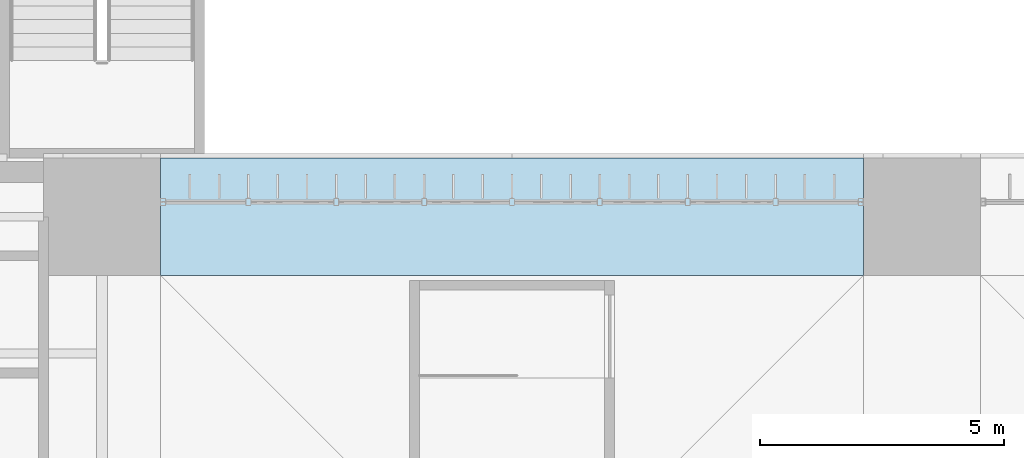
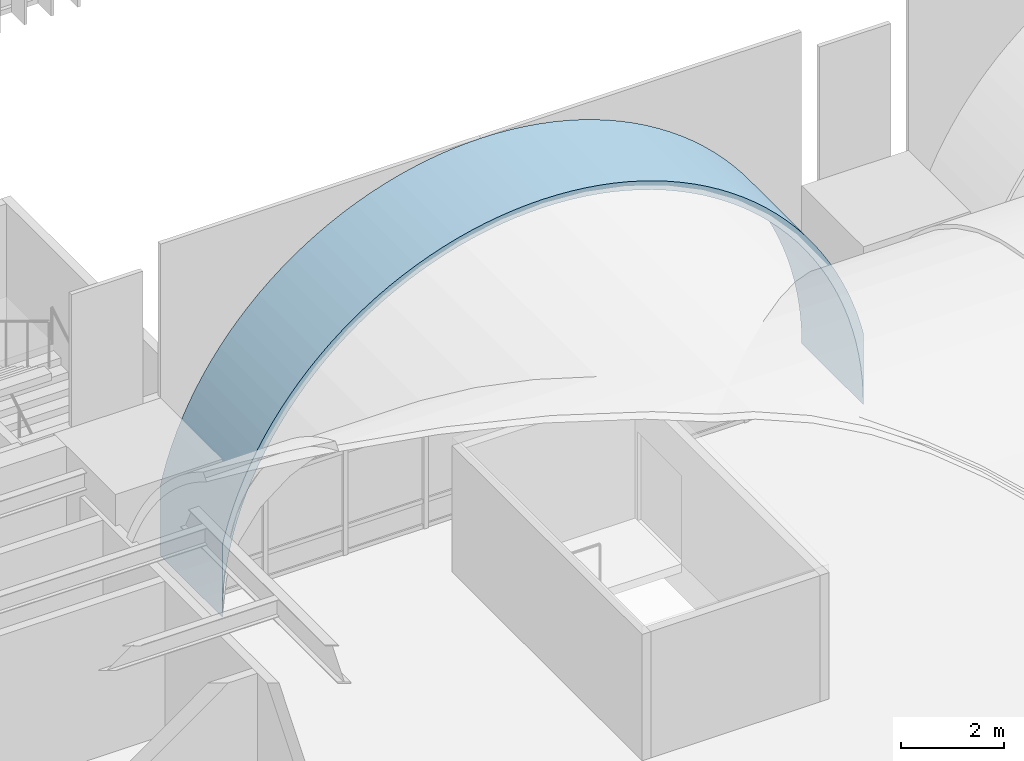
# One storey, part 119 of 169: 1 roof.
"""IFC4 building model written with IfcOpenShell, lengths in metres."""

from ifc_helpers import new_model, si_unit, direction, frame, origin, place, context, subcontext, project, spatial, polygons, material, layer, layer_set, type_object, element, save


model = new_model("IFC4")

# Units and contexts
model_context = context("Model", 3, precision=1e-05, world=origin(), true_north=direction((0.0, 1.0)))
body_context = subcontext(model_context, "Body", "Model", "MODEL_VIEW")
ifc_project = project(units=[si_unit("LENGTHUNIT", "METRE"), si_unit("AREAUNIT", "SQUARE_METRE"), si_unit("VOLUMEUNIT", "CUBIC_METRE"), si_unit("PLANEANGLEUNIT", "RADIAN"), si_unit("MASSUNIT", "GRAM", prefix="KILO")], contexts=[model_context])

# Site, building, storey
site_placement = place(None, origin())
site = spatial("IfcSite", under=ifc_project, at=site_placement, CompositionType="ELEMENT")
building_placement = place(site_placement, origin())
building = spatial("IfcBuilding", under=site, at=building_placement, Name="Verrick Yard Athletic Hall", CompositionType="ELEMENT")
storey_placement = place(building_placement, frame((0.0, 0.0, 4.39990234375)))
storey = spatial("IfcBuildingStorey", under=building, at=storey_placement, Name="L01", CompositionType="ELEMENT", Elevation=4.39990234375)

# Roof
ifc_material = material(Name="Concrete 35 MPa", Category="concrete")
ifc_layer = layer(ifc_material, 0.199951171875)
ifc_layer_set = layer_set([ifc_layer], Name="Arch rib 200")
roof_type = type_object("IfcRoofType", Name="Arch rib 200", PredefinedType="BARREL_ROOF", material=ifc_layer_set)
roof_placement = place(storey_placement, origin())
element("IfcRoof", 1, at=roof_placement, inside=storey, type_object=roof_type, Name="Vault rib N1", PredefinedType="BARREL_ROOF", context=body_context, shape_type="Tessellation", body=[
    polygons([(41.199951171875, 51.60009765625, 2.352294921875), (41.199951171875, 51.60009765625, 0.650146484375), (41.206787109375, 51.60009765625, 0.964111328125), (41.227294921875, 51.60009765625, 1.277587890625), (41.26171875, 51.60009765625, 1.58984375), (41.309326171875, 51.60009765625, 1.900390625), (41.37060546875, 51.60009765625, 2.20849609375), (41.4453125, 51.60009765625, 2.513671875), (41.533203125, 51.60009765625, 2.815185546875), (41.63427734375, 51.60009765625, 3.112548828125), (41.748046875, 51.60009765625, 3.405517578125), (41.87451171875, 51.60009765625, 3.693115234375), (42.013427734375, 51.60009765625, 3.974609375), (42.16455078125, 51.60009765625, 4.25), (42.32763671875, 51.60009765625, 4.518798828125), (42.502197265625, 51.60009765625, 4.77978515625), (42.68798828125, 51.60009765625, 5.033203125), (42.884521484375, 51.60009765625, 5.278076171875), (43.091552734375, 51.60009765625, 5.514404296875), (43.308837890625, 51.60009765625, 5.7412109375), (43.535888671875, 51.60009765625, 5.95849609375), (43.77197265625, 51.60009765625, 6.16552734375), (44.016845703125, 51.60009765625, 6.3623046875), (44.270263671875, 51.60009765625, 6.548095703125), (44.531494140625, 51.60009765625, 6.722412109375), (44.800048828125, 51.60009765625, 6.885498046875), (45.075439453125, 51.60009765625, 7.03662109375), (45.357177734375, 51.60009765625, 7.175537109375), (45.644775390625, 51.60009765625, 7.302001953125), (45.9375, 51.60009765625, 7.416015625), (46.23486328125, 51.60009765625, 7.516845703125), (46.53662109375, 51.60009765625, 7.604736328125), (46.841552734375, 51.60009765625, 7.679443359375), (47.149658203125, 51.60009765625, 7.74072265625), (47.460205078125, 51.60009765625, 7.78857421875), (47.7724609375, 51.60009765625, 7.82275390625), (48.0859375, 51.60009765625, 7.84326171875), (48.39990234375, 51.60009765625, 7.85009765625), (48.714111328125, 51.60009765625, 7.84326171875), (49.027587890625, 51.60009765625, 7.82275390625), (49.33984375, 51.60009765625, 7.78857421875), (49.650390625, 51.60009765625, 7.74072265625), (49.95849609375, 51.60009765625, 7.679443359375), (50.263427734375, 51.60009765625, 7.604736328125), (50.565185546875, 51.60009765625, 7.516845703125), (50.862548828125, 51.60009765625, 7.416015625), (51.1552734375, 51.60009765625, 7.302001953125), (51.44287109375, 51.60009765625, 7.175537109375), (51.724609375, 51.60009765625, 7.03662109375), (52.0, 51.60009765625, 6.885498046875), (52.2685546875, 51.60009765625, 6.722412109375), (52.52978515625, 51.60009765625, 6.548095703125), (52.783203125, 51.60009765625, 6.3623046875), (53.028076171875, 51.60009765625, 6.16552734375), (53.26416015625, 51.60009765625, 5.95849609375), (53.4912109375, 51.60009765625, 5.7412109375), (53.70849609375, 51.60009765625, 5.514404296875), (53.91552734375, 51.60009765625, 5.278076171875), (54.112060546875, 51.60009765625, 5.033203125), (54.2978515625, 51.60009765625, 4.77978515625), (54.472412109375, 51.60009765625, 4.518798828125), (54.635498046875, 51.60009765625, 4.25), (54.78662109375, 51.60009765625, 3.974609375), (54.92529296875, 51.60009765625, 3.693115234375), (55.052001953125, 51.60009765625, 3.405517578125), (55.165771484375, 51.60009765625, 3.112548828125), (55.266845703125, 51.60009765625, 2.815185546875), (55.354736328125, 51.60009765625, 2.513671875), (55.42919921875, 51.60009765625, 2.20849609375), (55.490478515625, 51.60009765625, 1.900390625), (55.538330078125, 51.60009765625, 1.58984375), (55.572509765625, 51.60009765625, 1.277587890625), (55.593017578125, 51.60009765625, 0.964111328125), (55.60009765625, 51.60009765625, 0.650146484375), (55.60009765625, 51.60009765625, 2.352294921875), (55.5478515625, 51.60009765625, 2.5654296875), (55.45751953125, 51.60009765625, 2.875244140625), (55.353759765625, 51.60009765625, 3.180908203125), (55.23681640625, 51.60009765625, 3.48193359375), (55.106689453125, 51.60009765625, 3.777587890625), (54.9638671875, 51.60009765625, 4.06689453125), (54.80859375, 51.60009765625, 4.35009765625), (54.64111328125, 51.60009765625, 4.6259765625), (54.461669921875, 51.60009765625, 4.89453125), (54.270751953125, 51.60009765625, 5.15478515625), (54.068603515625, 51.60009765625, 5.40673828125), (53.85595703125, 51.60009765625, 5.6494140625), (53.632568359375, 51.60009765625, 5.8828125), (53.3994140625, 51.60009765625, 6.10595703125), (53.156494140625, 51.60009765625, 6.31884765625), (52.90478515625, 51.60009765625, 6.52099609375), (52.64453125, 51.60009765625, 6.7119140625), (52.3759765625, 51.60009765625, 6.89111328125), (52.10009765625, 51.60009765625, 7.05859375), (51.81689453125, 51.60009765625, 7.214111328125), (51.52734375, 51.60009765625, 7.356689453125), (51.23193359375, 51.60009765625, 7.48681640625), (50.930908203125, 51.60009765625, 7.603759765625), (50.625244140625, 51.60009765625, 7.70751953125), (50.315185546875, 51.60009765625, 7.798095703125), (50.001708984375, 51.60009765625, 7.874755859375), (49.68505859375, 51.60009765625, 7.937744140625), (49.365966796875, 51.60009765625, 7.98681640625), (49.044921875, 51.60009765625, 8.02197265625), (48.722900390625, 51.60009765625, 8.043212890625), (48.39990234375, 51.60009765625, 8.050048828125), (48.0771484375, 51.60009765625, 8.043212890625), (47.7548828125, 51.60009765625, 8.02197265625), (47.43408203125, 51.60009765625, 7.98681640625), (47.114990234375, 51.60009765625, 7.937744140625), (46.79833984375, 51.60009765625, 7.874755859375), (46.484619140625, 51.60009765625, 7.798095703125), (46.1748046875, 51.60009765625, 7.70751953125), (45.869140625, 51.60009765625, 7.603759765625), (45.568115234375, 51.60009765625, 7.48681640625), (45.272705078125, 51.60009765625, 7.356689453125), (44.983154296875, 51.60009765625, 7.214111328125), (44.699951171875, 51.60009765625, 7.05859375), (44.424072265625, 51.60009765625, 6.89111328125), (44.155517578125, 51.60009765625, 6.7119140625), (43.895263671875, 51.60009765625, 6.52099609375), (43.643310546875, 51.60009765625, 6.31884765625), (43.400634765625, 51.60009765625, 6.10595703125), (43.16748046875, 51.60009765625, 5.8828125), (42.944091796875, 51.60009765625, 5.6494140625), (42.731201171875, 51.60009765625, 5.40673828125), (42.529296875, 51.60009765625, 5.15478515625), (42.33837890625, 51.60009765625, 4.89453125), (42.158935546875, 51.60009765625, 4.6259765625), (41.991455078125, 51.60009765625, 4.35009765625), (41.836181640625, 51.60009765625, 4.06689453125), (41.693359375, 51.60009765625, 3.777587890625), (41.563232421875, 51.60009765625, 3.48193359375), (41.4462890625, 51.60009765625, 3.180908203125), (41.342529296875, 51.60009765625, 2.875244140625), (41.252197265625, 51.60009765625, 2.5654296875), (41.199951171875, 54.0, 2.352294921875), (41.199951171875, 54.0, 0.650146484375), (41.206787109375, 54.0, 0.964111328125), (41.227294921875, 54.0, 1.277587890625), (41.26171875, 54.0, 1.58984375), (41.309326171875, 54.0, 1.900390625), (41.37060546875, 54.0, 2.20849609375), (41.4453125, 54.0, 2.513671875), (41.533203125, 54.0, 2.815185546875), (41.63427734375, 54.0, 3.112548828125), (41.748046875, 54.0, 3.405517578125), (41.87451171875, 54.0, 3.693115234375), (42.013427734375, 54.0, 3.974609375), (42.16455078125, 54.0, 4.25), (42.32763671875, 54.0, 4.518798828125), (42.502197265625, 54.0, 4.77978515625), (42.68798828125, 54.0, 5.033203125), (42.884521484375, 54.0, 5.278076171875), (43.091552734375, 54.0, 5.514404296875), (43.308837890625, 54.0, 5.7412109375), (43.535888671875, 54.0, 5.95849609375), (43.77197265625, 54.0, 6.16552734375), (44.016845703125, 54.0, 6.3623046875), (44.270263671875, 54.0, 6.548095703125), (44.531494140625, 54.0, 6.722412109375), (44.800048828125, 54.0, 6.885498046875), (45.075439453125, 54.0, 7.03662109375), (45.357177734375, 54.0, 7.175537109375), (45.644775390625, 54.0, 7.302001953125), (45.9375, 54.0, 7.416015625), (46.23486328125, 54.0, 7.516845703125), (46.53662109375, 54.0, 7.604736328125), (46.841552734375, 54.0, 7.679443359375), (47.149658203125, 54.0, 7.74072265625), (47.460205078125, 54.0, 7.78857421875), (47.7724609375, 54.0, 7.82275390625), (48.0859375, 54.0, 7.84326171875), (48.39990234375, 54.0, 7.85009765625), (48.714111328125, 54.0, 7.84326171875), (49.027587890625, 54.0, 7.82275390625), (49.33984375, 54.0, 7.78857421875), (49.650390625, 54.0, 7.74072265625), (49.95849609375, 54.0, 7.679443359375), (50.263427734375, 54.0, 7.604736328125), (50.565185546875, 54.0, 7.516845703125), (50.862548828125, 54.0, 7.416015625), (51.1552734375, 54.0, 7.302001953125), (51.44287109375, 54.0, 7.175537109375), (51.724609375, 54.0, 7.03662109375), (52.0, 54.0, 6.885498046875), (52.2685546875, 54.0, 6.722412109375), (52.52978515625, 54.0, 6.548095703125), (52.783203125, 54.0, 6.3623046875), (53.028076171875, 54.0, 6.16552734375), (53.26416015625, 54.0, 5.95849609375), (53.4912109375, 54.0, 5.7412109375), (53.70849609375, 54.0, 5.514404296875), (53.91552734375, 54.0, 5.278076171875), (54.112060546875, 54.0, 5.033203125), (54.2978515625, 54.0, 4.77978515625), (54.472412109375, 54.0, 4.518798828125), (54.635498046875, 54.0, 4.25), (54.78662109375, 54.0, 3.974609375), (54.92529296875, 54.0, 3.693115234375), (55.052001953125, 54.0, 3.405517578125), (55.165771484375, 54.0, 3.112548828125), (55.266845703125, 54.0, 2.815185546875), (55.354736328125, 54.0, 2.513671875), (55.42919921875, 54.0, 2.20849609375), (55.490478515625, 54.0, 1.900390625), (55.538330078125, 54.0, 1.58984375), (55.572509765625, 54.0, 1.277587890625), (55.593017578125, 54.0, 0.964111328125), (55.60009765625, 54.0, 0.650146484375), (55.60009765625, 54.0, 2.352294921875), (55.5478515625, 54.0, 2.5654296875), (55.45751953125, 54.0, 2.875244140625), (55.353759765625, 54.0, 3.180908203125), (55.23681640625, 54.0, 3.48193359375), (55.106689453125, 54.0, 3.777587890625), (54.9638671875, 54.0, 4.06689453125), (54.80859375, 54.0, 4.35009765625), (54.64111328125, 54.0, 4.6259765625), (54.461669921875, 54.0, 4.89453125), (54.270751953125, 54.0, 5.15478515625), (54.068603515625, 54.0, 5.40673828125), (53.85595703125, 54.0, 5.6494140625), (53.632568359375, 54.0, 5.8828125), (53.3994140625, 54.0, 6.10595703125), (53.156494140625, 54.0, 6.31884765625), (52.90478515625, 54.0, 6.52099609375), (52.64453125, 54.0, 6.7119140625), (52.3759765625, 54.0, 6.89111328125), (52.10009765625, 54.0, 7.05859375), (51.81689453125, 54.0, 7.214111328125), (51.52734375, 54.0, 7.356689453125), (51.23193359375, 54.0, 7.48681640625), (50.930908203125, 54.0, 7.603759765625), (50.625244140625, 54.0, 7.70751953125), (50.315185546875, 54.0, 7.798095703125), (50.001708984375, 54.0, 7.874755859375), (49.68505859375, 54.0, 7.937744140625), (49.365966796875, 54.0, 7.98681640625), (49.044921875, 54.0, 8.02197265625), (48.722900390625, 54.0, 8.043212890625), (48.39990234375, 54.0, 8.050048828125), (48.0771484375, 54.0, 8.043212890625), (47.7548828125, 54.0, 8.02197265625), (47.43408203125, 54.0, 7.98681640625), (47.114990234375, 54.0, 7.937744140625), (46.79833984375, 54.0, 7.874755859375), (46.484619140625, 54.0, 7.798095703125), (46.1748046875, 54.0, 7.70751953125), (45.869140625, 54.0, 7.603759765625), (45.568115234375, 54.0, 7.48681640625), (45.272705078125, 54.0, 7.356689453125), (44.983154296875, 54.0, 7.214111328125), (44.699951171875, 54.0, 7.05859375), (44.424072265625, 54.0, 6.89111328125), (44.155517578125, 54.0, 6.7119140625), (43.895263671875, 54.0, 6.52099609375), (43.643310546875, 54.0, 6.31884765625), (43.400634765625, 54.0, 6.10595703125), (43.16748046875, 54.0, 5.8828125), (42.944091796875, 54.0, 5.6494140625), (42.731201171875, 54.0, 5.40673828125), (42.529296875, 54.0, 5.15478515625), (42.33837890625, 54.0, 4.89453125), (42.158935546875, 54.0, 4.6259765625), (41.991455078125, 54.0, 4.35009765625), (41.836181640625, 54.0, 4.06689453125), (41.693359375, 54.0, 3.777587890625), (41.563232421875, 54.0, 3.48193359375), (41.4462890625, 54.0, 3.180908203125), (41.342529296875, 54.0, 2.875244140625), (41.252197265625, 54.0, 2.5654296875)], [[[1, 2, 3]], [[137, 139, 138]], [[136, 1, 3]], [[272, 139, 137]], [[136, 3, 4]], [[272, 140, 139]], [[136, 4, 5]], [[272, 141, 140]], [[136, 5, 6]], [[272, 142, 141]], [[136, 6, 7]], [[272, 143, 142]], [[136, 7, 8]], [[272, 144, 143]], [[136, 8, 9]], [[272, 145, 144]], [[136, 9, 10]], [[272, 146, 145]], [[136, 10, 11]], [[272, 147, 146]], [[136, 11, 12]], [[272, 148, 147]], [[136, 12, 13]], [[272, 149, 148]], [[73, 74, 75]], [[209, 211, 210]], [[72, 73, 75]], [[208, 211, 209]], [[71, 72, 75]], [[207, 211, 208]], [[70, 71, 75]], [[206, 211, 207]], [[69, 70, 75]], [[205, 211, 206]], [[68, 69, 75]], [[204, 211, 205]], [[67, 68, 75]], [[203, 211, 204]], [[66, 67, 75]], [[202, 211, 203]], [[65, 66, 75]], [[201, 211, 202]], [[64, 65, 75]], [[200, 211, 201]], [[63, 64, 75]], [[199, 211, 200]], [[63, 75, 76]], [[199, 212, 211]], [[63, 76, 77]], [[199, 213, 212]], [[62, 63, 77]], [[198, 213, 199]], [[62, 77, 78]], [[198, 214, 213]], [[61, 62, 78]], [[197, 214, 198]], [[61, 78, 79]], [[197, 215, 214]], [[60, 61, 79]], [[196, 215, 197]], [[60, 79, 80]], [[196, 216, 215]], [[59, 60, 80]], [[195, 216, 196]], [[59, 80, 81]], [[195, 217, 216]], [[58, 59, 81]], [[194, 217, 195]], [[58, 81, 82]], [[194, 218, 217]], [[57, 58, 82]], [[193, 218, 194]], [[57, 82, 83]], [[193, 219, 218]], [[56, 57, 83]], [[192, 219, 193]], [[56, 83, 84]], [[192, 220, 219]], [[55, 56, 84]], [[191, 220, 192]], [[55, 84, 85]], [[191, 221, 220]], [[54, 55, 85]], [[190, 221, 191]], [[54, 85, 86]], [[190, 222, 221]], [[53, 54, 86]], [[189, 222, 190]], [[53, 86, 87]], [[189, 223, 222]], [[52, 53, 87]], [[188, 223, 189]], [[52, 87, 88]], [[188, 224, 223]], [[51, 52, 88]], [[187, 224, 188]], [[51, 88, 89]], [[187, 225, 224]], [[50, 51, 89]], [[186, 225, 187]], [[50, 89, 90]], [[186, 226, 225]], [[49, 50, 90]], [[185, 226, 186]], [[49, 90, 91]], [[185, 227, 226]], [[48, 49, 91]], [[184, 227, 185]], [[48, 91, 92]], [[184, 228, 227]], [[47, 48, 92]], [[183, 228, 184]], [[47, 92, 93]], [[183, 229, 228]], [[46, 47, 93]], [[182, 229, 183]], [[46, 93, 94]], [[182, 230, 229]], [[45, 46, 94]], [[181, 230, 182]], [[45, 94, 95]], [[181, 231, 230]], [[44, 45, 95]], [[180, 231, 181]], [[44, 95, 96]], [[180, 232, 231]], [[43, 44, 96]], [[179, 232, 180]], [[43, 96, 97]], [[179, 233, 232]], [[42, 43, 97]], [[178, 233, 179]], [[42, 97, 98]], [[178, 234, 233]], [[41, 42, 98]], [[177, 234, 178]], [[41, 98, 99]], [[177, 235, 234]], [[40, 41, 99]], [[176, 235, 177]], [[40, 99, 100]], [[176, 236, 235]], [[39, 40, 100]], [[175, 236, 176]], [[39, 100, 101]], [[175, 237, 236]], [[38, 39, 101]], [[174, 237, 175]], [[38, 101, 102]], [[174, 238, 237]], [[37, 38, 102]], [[173, 238, 174]], [[37, 102, 103]], [[173, 239, 238]], [[36, 37, 103]], [[172, 239, 173]], [[36, 103, 104]], [[172, 240, 239]], [[35, 36, 104]], [[171, 240, 172]], [[35, 104, 105]], [[171, 241, 240]], [[34, 35, 105]], [[170, 241, 171]], [[34, 105, 106]], [[170, 242, 241]], [[33, 34, 106]], [[169, 242, 170]], [[33, 106, 107]], [[169, 243, 242]], [[32, 33, 107]], [[168, 243, 169]], [[32, 107, 108]], [[168, 244, 243]], [[31, 32, 108]], [[167, 244, 168]], [[31, 108, 109]], [[167, 245, 244]], [[30, 31, 109]], [[166, 245, 167]], [[30, 109, 110]], [[166, 246, 245]], [[29, 30, 110]], [[165, 246, 166]], [[29, 110, 111]], [[165, 247, 246]], [[28, 29, 111]], [[164, 247, 165]], [[28, 111, 112]], [[164, 248, 247]], [[27, 28, 112]], [[163, 248, 164]], [[27, 112, 113]], [[163, 249, 248]], [[26, 27, 113]], [[162, 249, 163]], [[26, 113, 114]], [[162, 250, 249]], [[25, 26, 114]], [[161, 250, 162]], [[25, 114, 115]], [[161, 251, 250]], [[24, 25, 115]], [[160, 251, 161]], [[24, 115, 116]], [[160, 252, 251]], [[23, 24, 116]], [[159, 252, 160]], [[23, 116, 117]], [[159, 253, 252]], [[22, 23, 117]], [[158, 253, 159]], [[22, 117, 118]], [[158, 254, 253]], [[21, 22, 118]], [[157, 254, 158]], [[21, 118, 119]], [[157, 255, 254]], [[20, 21, 119]], [[156, 255, 157]], [[20, 119, 120]], [[156, 256, 255]], [[19, 20, 120]], [[155, 256, 156]], [[19, 120, 121]], [[155, 257, 256]], [[18, 19, 121]], [[154, 257, 155]], [[18, 121, 122]], [[154, 258, 257]], [[17, 18, 122]], [[153, 258, 154]], [[17, 122, 123]], [[153, 259, 258]], [[16, 17, 123]], [[152, 259, 153]], [[16, 123, 124]], [[152, 260, 259]], [[15, 16, 124]], [[151, 260, 152]], [[15, 124, 125]], [[151, 261, 260]], [[14, 15, 125]], [[150, 261, 151]], [[14, 125, 126]], [[150, 262, 261]], [[13, 14, 126]], [[149, 262, 150]], [[136, 13, 126]], [[272, 262, 149]], [[136, 126, 127]], [[272, 263, 262]], [[136, 127, 128]], [[272, 264, 263]], [[136, 128, 129]], [[272, 265, 264]], [[136, 129, 130]], [[272, 266, 265]], [[136, 130, 131]], [[272, 267, 266]], [[136, 131, 132]], [[272, 268, 267]], [[136, 132, 133]], [[272, 269, 268]], [[136, 133, 134]], [[272, 270, 269]], [[134, 135, 136]], [[270, 272, 271]], [[1, 138, 2]], [[1, 137, 138]], [[2, 139, 3]], [[2, 138, 139]], [[3, 140, 4]], [[3, 139, 140]], [[4, 141, 5]], [[4, 140, 141]], [[5, 142, 6]], [[5, 141, 142]], [[6, 143, 7]], [[6, 142, 143]], [[7, 144, 8]], [[7, 143, 144]], [[8, 145, 9]], [[8, 144, 145]], [[9, 146, 10]], [[9, 145, 146]], [[10, 147, 11]], [[10, 146, 147]], [[11, 148, 12]], [[11, 147, 148]], [[12, 149, 13]], [[12, 148, 149]], [[13, 150, 14]], [[13, 149, 150]], [[14, 151, 15]], [[14, 150, 151]], [[15, 152, 16]], [[15, 151, 152]], [[16, 153, 17]], [[16, 152, 153]], [[17, 154, 18]], [[17, 153, 154]], [[18, 155, 19]], [[18, 154, 155]], [[19, 156, 20]], [[19, 155, 156]], [[20, 157, 21]], [[20, 156, 157]], [[21, 158, 22]], [[21, 157, 158]], [[22, 159, 23]], [[22, 158, 159]], [[23, 160, 24]], [[23, 159, 160]], [[24, 161, 25]], [[24, 160, 161]], [[25, 162, 26]], [[25, 161, 162]], [[26, 163, 27]], [[26, 162, 163]], [[27, 164, 28]], [[27, 163, 164]], [[28, 165, 29]], [[28, 164, 165]], [[29, 166, 30]], [[29, 165, 166]], [[30, 167, 31]], [[30, 166, 167]], [[31, 168, 32]], [[31, 167, 168]], [[32, 169, 33]], [[32, 168, 169]], [[33, 170, 34]], [[33, 169, 170]], [[34, 171, 35]], [[34, 170, 171]], [[35, 172, 36]], [[35, 171, 172]], [[36, 173, 37]], [[36, 172, 173]], [[37, 174, 38]], [[37, 173, 174]], [[38, 175, 39]], [[38, 174, 175]], [[39, 176, 40]], [[39, 175, 176]], [[40, 177, 41]], [[40, 176, 177]], [[41, 178, 42]], [[41, 177, 178]], [[42, 179, 43]], [[42, 178, 179]], [[43, 180, 44]], [[43, 179, 180]], [[44, 181, 45]], [[44, 180, 181]], [[45, 182, 46]], [[45, 181, 182]], [[46, 183, 47]], [[46, 182, 183]], [[47, 184, 48]], [[47, 183, 184]], [[48, 185, 49]], [[48, 184, 185]], [[49, 186, 50]], [[49, 185, 186]], [[50, 187, 51]], [[50, 186, 187]], [[51, 188, 52]], [[51, 187, 188]], [[52, 189, 53]], [[52, 188, 189]], [[53, 190, 54]], [[53, 189, 190]], [[54, 191, 55]], [[54, 190, 191]], [[55, 192, 56]], [[55, 191, 192]], [[56, 193, 57]], [[56, 192, 193]], [[57, 194, 58]], [[57, 193, 194]], [[58, 195, 59]], [[58, 194, 195]], [[59, 196, 60]], [[59, 195, 196]], [[60, 197, 61]], [[60, 196, 197]], [[61, 198, 62]], [[61, 197, 198]], [[62, 199, 63]], [[62, 198, 199]], [[63, 200, 64]], [[63, 199, 200]], [[64, 201, 65]], [[64, 200, 201]], [[65, 202, 66]], [[65, 201, 202]], [[66, 203, 67]], [[66, 202, 203]], [[67, 204, 68]], [[67, 203, 204]], [[68, 205, 69]], [[68, 204, 205]], [[69, 206, 70]], [[69, 205, 206]], [[70, 207, 71]], [[70, 206, 207]], [[71, 208, 72]], [[71, 207, 208]], [[72, 209, 73]], [[72, 208, 209]], [[73, 210, 74]], [[73, 209, 210]], [[74, 211, 75]], [[74, 210, 211]], [[75, 212, 76]], [[75, 211, 212]], [[76, 213, 77]], [[76, 212, 213]], [[77, 214, 78]], [[77, 213, 214]], [[78, 215, 79]], [[78, 214, 215]], [[79, 216, 80]], [[79, 215, 216]], [[80, 217, 81]], [[80, 216, 217]], [[81, 218, 82]], [[81, 217, 218]], [[82, 219, 83]], [[82, 218, 219]], [[83, 220, 84]], [[83, 219, 220]], [[84, 221, 85]], [[84, 220, 221]], [[85, 222, 86]], [[85, 221, 222]], [[86, 223, 87]], [[86, 222, 223]], [[87, 224, 88]], [[87, 223, 224]], [[88, 225, 89]], [[88, 224, 225]], [[89, 226, 90]], [[89, 225, 226]], [[90, 227, 91]], [[90, 226, 227]], [[91, 228, 92]], [[91, 227, 228]], [[92, 229, 93]], [[92, 228, 229]], [[93, 230, 94]], [[93, 229, 230]], [[94, 231, 95]], [[94, 230, 231]], [[95, 232, 96]], [[95, 231, 232]], [[96, 233, 97]], [[96, 232, 233]], [[97, 234, 98]], [[97, 233, 234]], [[98, 235, 99]], [[98, 234, 235]], [[99, 236, 100]], [[99, 235, 236]], [[100, 237, 101]], [[100, 236, 237]], [[101, 238, 102]], [[101, 237, 238]], [[102, 239, 103]], [[102, 238, 239]], [[103, 240, 104]], [[103, 239, 240]], [[104, 241, 105]], [[104, 240, 241]], [[105, 242, 106]], [[105, 241, 242]], [[106, 243, 107]], [[106, 242, 243]], [[107, 244, 108]], [[107, 243, 244]], [[108, 245, 109]], [[108, 244, 245]], [[109, 246, 110]], [[109, 245, 246]], [[110, 247, 111]], [[110, 246, 247]], [[111, 248, 112]], [[111, 247, 248]], [[112, 249, 113]], [[112, 248, 249]], [[113, 250, 114]], [[113, 249, 250]], [[114, 251, 115]], [[114, 250, 251]], [[115, 252, 116]], [[115, 251, 252]], [[116, 253, 117]], [[116, 252, 253]], [[117, 254, 118]], [[117, 253, 254]], [[118, 255, 119]], [[118, 254, 255]], [[119, 256, 120]], [[119, 255, 256]], [[120, 257, 121]], [[120, 256, 257]], [[121, 258, 122]], [[121, 257, 258]], [[122, 259, 123]], [[122, 258, 259]], [[123, 260, 124]], [[123, 259, 260]], [[124, 261, 125]], [[124, 260, 261]], [[125, 262, 126]], [[125, 261, 262]], [[126, 263, 127]], [[126, 262, 263]], [[127, 264, 128]], [[127, 263, 264]], [[128, 265, 129]], [[128, 264, 265]], [[129, 266, 130]], [[129, 265, 266]], [[130, 267, 131]], [[130, 266, 267]], [[131, 268, 132]], [[131, 267, 268]], [[132, 269, 133]], [[132, 268, 269]], [[133, 270, 134]], [[133, 269, 270]], [[134, 271, 135]], [[134, 270, 271]], [[135, 272, 136]], [[135, 271, 272]], [[136, 137, 1]], [[136, 272, 137]]], closed=True),
])

save(model, "model.ifc")
